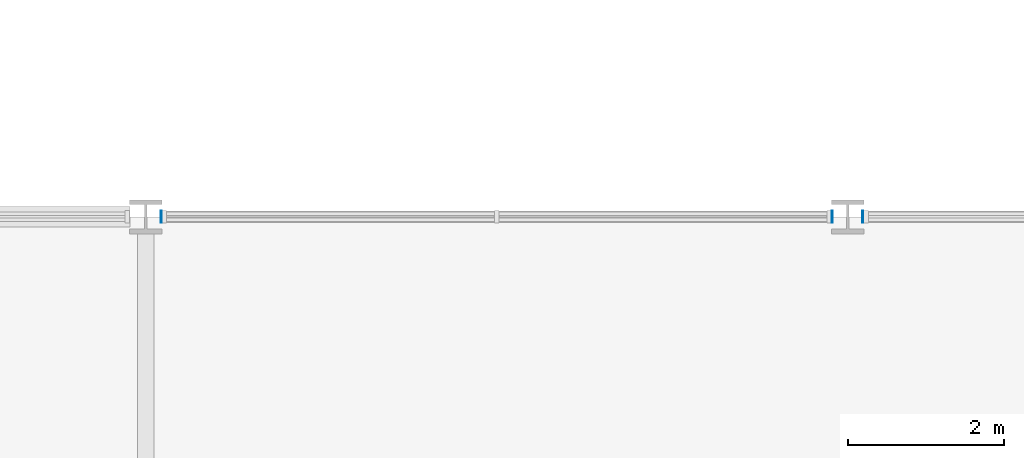
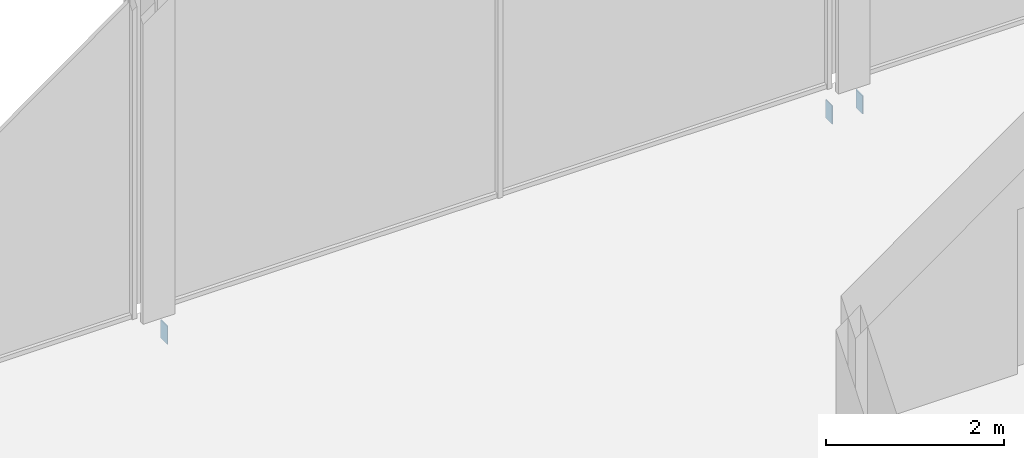
# One storey, part 72 of 111: 3 discrete accessories.
"""IFC4 building model written with IfcOpenShell, lengths in metres."""

from ifc_helpers import new_model, si_unit, direction, frame, origin, place, context, subcontext, project, spatial, polyline, outline, extrude, material, layer, layer_set, type_object, element, save


model = new_model("IFC4")

# Units and contexts
model_context = context("Model", 3, precision=1e-05, world=origin(), true_north=direction((0.0, 1.0)))
body_context = subcontext(model_context, "Body", "Model", "MODEL_VIEW")
ifc_project = project(units=[si_unit("LENGTHUNIT", "METRE"), si_unit("AREAUNIT", "SQUARE_METRE"), si_unit("VOLUMEUNIT", "CUBIC_METRE"), si_unit("PLANEANGLEUNIT", "RADIAN"), si_unit("MASSUNIT", "GRAM", prefix="KILO")], contexts=[model_context])

# Site, building, storey
site_placement = place(None, origin())
site = spatial("IfcSite", under=ifc_project, at=site_placement, CompositionType="ELEMENT")
building_placement = place(site_placement, origin())
building = spatial("IfcBuilding", under=site, at=building_placement, Name="Kisiwana Market Hall", CompositionType="ELEMENT")
storey_placement = place(building_placement, frame((0.0, 0.0, 11.39990234375)))
storey = spatial("IfcBuildingStorey", under=building, at=storey_placement, Name="L02", CompositionType="ELEMENT", Elevation=11.39990234375)

# Discrete accessories
ifc_material = material(Name="Steel S355", Category="steel")
ifc_layer = layer(ifc_material, 0.011962890625)
ifc_layer_set = layer_set([ifc_layer], Name="ACC-ENDCAP-STL")
discrete_accessory_type = type_object("IfcDiscreteAccessoryType", Name="ACC-ENDCAP-STL", PredefinedType="USERDEFINED", material=ifc_layer_set)
discrete_accessory_1_placement = place(storey_placement, frame((0.0, 0.0, -0.5)))
element("IfcDiscreteAccessory", 1, at=discrete_accessory_1_placement, inside=storey, type_object=discrete_accessory_type, Name="End cap plate EC-0015", ObjectType="End cap plate", PredefinedType="USERDEFINED", context=body_context, shape_type="SweptSolid", body=[
    extrude(outline(polyline([(89.798095703125, 35.925048828125), (89.81005859375, 35.925048828125), (89.81005859375, 36.074951171875), (89.798095703125, 36.074951171875), (89.798095703125, 35.925048828125)])), origin(), (0.0, 0.0, 1.0), 0.25),
])
discrete_accessory_2_placement = place(storey_placement, frame((0.0, 0.0, -0.5)))
element("IfcDiscreteAccessory", 2, at=discrete_accessory_2_placement, inside=storey, type_object=discrete_accessory_type, Name="End cap plate EC-0016", ObjectType="End cap plate", PredefinedType="USERDEFINED", context=body_context, shape_type="SweptSolid", body=[
    extrude(outline(polyline([(81.201904296875, 35.925048828125), (81.201904296875, 36.074951171875), (81.18994140625, 36.074951171875), (81.18994140625, 35.925048828125), (81.201904296875, 35.925048828125)])), origin(), (0.0, 0.0, 1.0), 0.25),
])
discrete_accessory_3_placement = place(storey_placement, frame((0.0, 0.0, -0.5)))
element("IfcDiscreteAccessory", 3, at=discrete_accessory_3_placement, inside=storey, type_object=discrete_accessory_type, Name="End cap plate EC-0018", ObjectType="End cap plate", PredefinedType="USERDEFINED", context=body_context, shape_type="SweptSolid", body=[
    extrude(outline(polyline([(90.201904296875, 35.925048828125), (90.201904296875, 36.074951171875), (90.18994140625, 36.074951171875), (90.18994140625, 35.925048828125), (90.201904296875, 35.925048828125)])), origin(), (0.0, 0.0, 1.0), 0.25),
])

save(model, "model.ifc")
